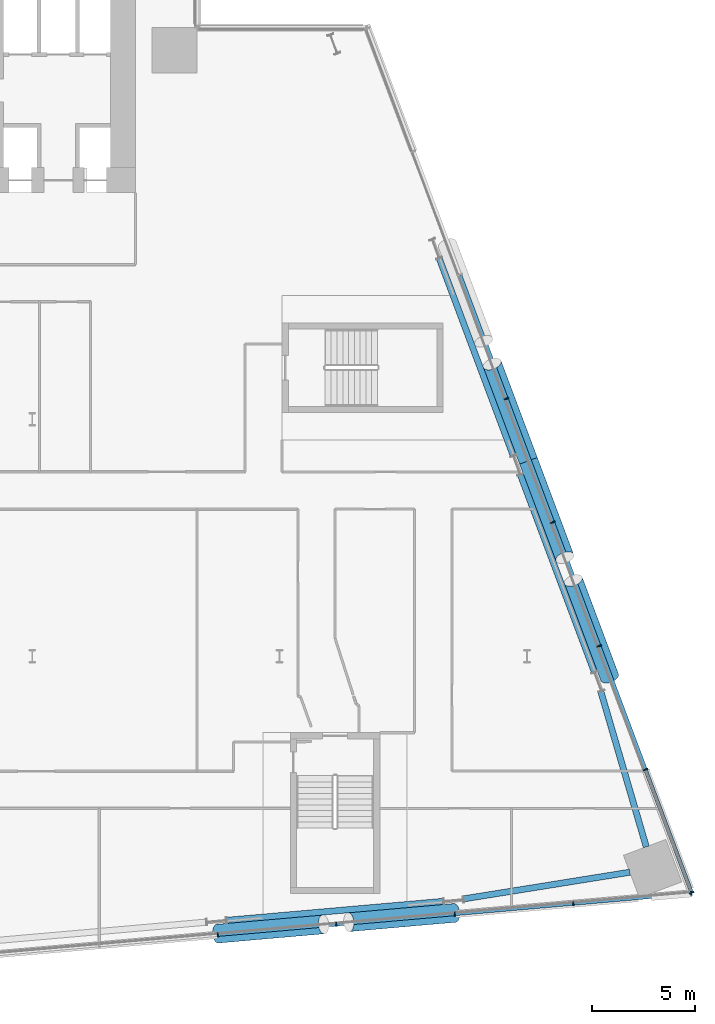
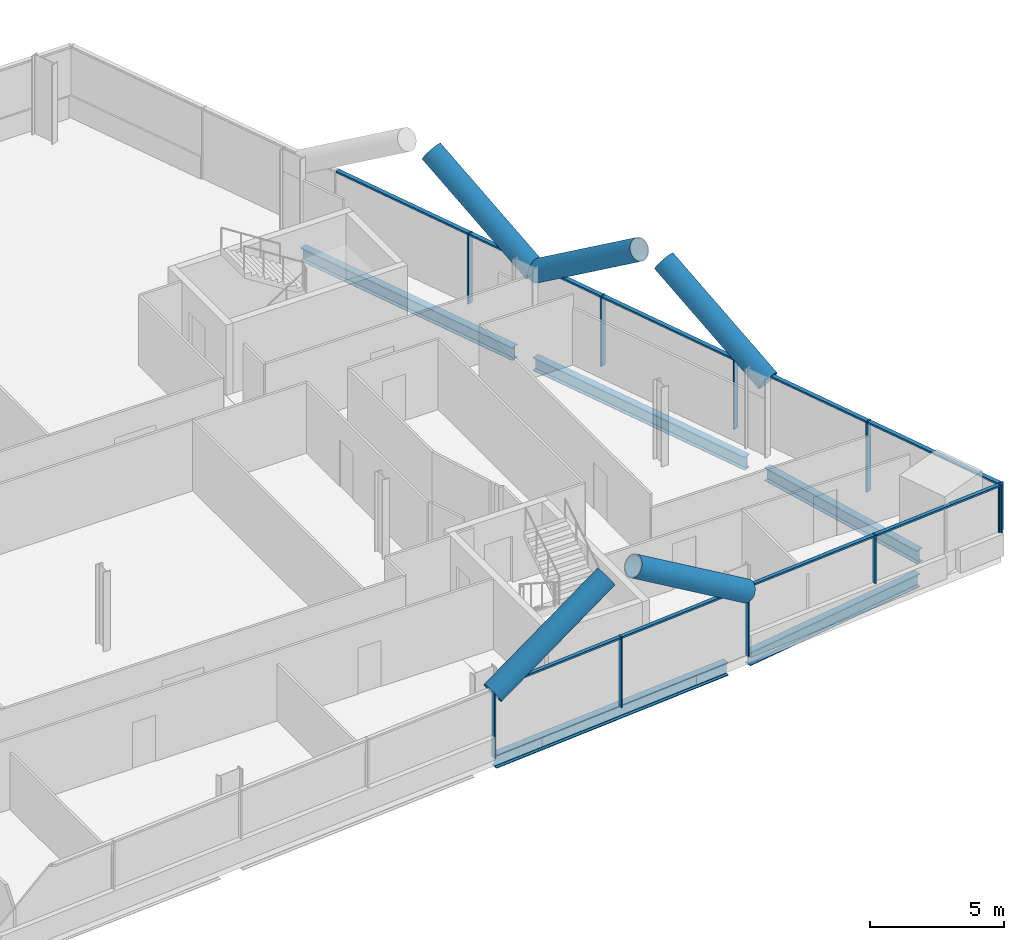
# One storey, part 9 of 28: 24 members, 5 beams, 2 elements without a shape of their own.
"""IFC4 building model written with IfcOpenShell, lengths in metres."""

from ifc_helpers import new_model, si_unit, direction, frame, origin, origin_2d, place, context, subcontext, project, spatial, rectangle, hollow_circle, i_section, extrude, material, material_profile, profile_set, type_object, element, aggregate, save


model = new_model("IFC4")

# Units and contexts
model_context = context("Model", 3, precision=1e-05, world=origin(), true_north=direction((0.0, 1.0)))
body_context = subcontext(model_context, "Body", "Model", "MODEL_VIEW")
ifc_project = project(units=[si_unit("LENGTHUNIT", "METRE"), si_unit("AREAUNIT", "SQUARE_METRE"), si_unit("VOLUMEUNIT", "CUBIC_METRE"), si_unit("PLANEANGLEUNIT", "RADIAN"), si_unit("MASSUNIT", "GRAM", prefix="KILO")], contexts=[model_context])

# Site, building, storey
site_placement = place(None, origin())
site = spatial("IfcSite", under=ifc_project, at=site_placement, CompositionType="ELEMENT")
building_placement = place(site_placement, origin())
building = spatial("IfcBuilding", under=site, at=building_placement, Name="Wharfspan Tower", CompositionType="ELEMENT")
storey_placement = place(building_placement, frame((0.0, 0.0, 59.5)))
storey = spatial("IfcBuildingStorey", under=building, at=storey_placement, Name="L11", CompositionType="ELEMENT", Elevation=59.5)

# Beams
ifc_material_1 = material(Name="Steel S355J2", Category="steel")
ifc_material_profile_1 = material_profile(ifc_material_1, i_section(OverallWidth=0.300049, OverallDepth=0.600098, WebThickness=0.015381, FlangeThickness=0.030029, FilletRadius=0.0271, at=origin_2d()))
ifc_profile_set_1 = profile_set([ifc_material_profile_1], Name="Steel S355J2")
beam_type = type_object("IfcBeamType", Name="Edge beam HEB 600", PredefinedType="SPANDREL", material=ifc_profile_set_1)
beam_1_placement = place(storey_placement, frame((69.440674, -1.311279, -0.699951), z_axis=(0.996193, 0.087178, 0.0), x_axis=(-0.087178, 0.996193, 0.0)))
element("IfcBeam", 1, at=beam_1_placement, inside=storey, type_object=beam_type, Name="Edge beam S2 L11 PS2.2 to PS2.3", PredefinedType="SPANDREL", context=body_context, shape_type="SweptSolid", body=[
    extrude(i_section(OverallWidth=0.300049, OverallDepth=0.600098, WebThickness=0.015381, FlangeThickness=0.030029, FilletRadius=0.0271, at=origin_2d()), origin(), (0.0, 0.0, 1.0), 10.543701),
])
beam_2_placement = place(storey_placement, frame((80.9375, -0.269287, -0.699951), z_axis=(0.987379, 0.158378, 0.0), x_axis=(-0.158378, 0.987379, 0.0)))
element("IfcBeam", 2, at=beam_2_placement, inside=storey, type_object=beam_type, Name="Edge beam S2 L11 PS2.3 to MC4", PredefinedType="SPANDREL", context=body_context, shape_type="SweptSolid", body=[
    extrude(i_section(OverallWidth=0.300049, OverallDepth=0.600098, WebThickness=0.015381, FlangeThickness=0.030029, FilletRadius=0.0271, at=origin_2d()), origin(), (0.0, 0.0, 1.0), 8.157715),
])
beam_3_placement = place(storey_placement, frame((89.788086, 2.254639, -0.699951), z_axis=(-0.280694, 0.959797, 0.0), x_axis=(-0.959797, -0.280694, 0.0)))
element("IfcBeam", 3, at=beam_3_placement, inside=storey, type_object=beam_type, Name="Edge beam E L11 MC4 to PE.1", PredefinedType="SPANDREL", context=body_context, shape_type="SweptSolid", body=[
    extrude(i_section(OverallWidth=0.300049, OverallDepth=0.600098, WebThickness=0.015381, FlangeThickness=0.030029, FilletRadius=0.0271, at=origin_2d()), origin(), (0.0, 0.0, 1.0), 7.8479),
])
for number, where, z_axis, x_axis, name in (
    (4, (87.269043, 10.736328, -0.699951), (-0.351126, 0.936328, 0.0), (-0.936328, -0.351126, 0.0), "Edge beam E L11 PE.1 to PE.2"),
    (5, (83.331543, 21.236328, -0.699951), (-0.351126, 0.936328, 0.0), (-0.936328, -0.351126, 0.0), "Edge beam E L11 PE.2 to PE.3"),
):
    element("IfcBeam", number, at=place(storey_placement, frame(where, z_axis=z_axis, x_axis=x_axis)), inside=storey, type_object=beam_type, Name=name, PredefinedType="SPANDREL", context=body_context, shape_type="SweptSolid", body=[
        extrude(i_section(OverallWidth=0.300049, OverallDepth=0.600098, WebThickness=0.015381, FlangeThickness=0.030029, FilletRadius=0.0271, at=origin_2d()), origin(), (0.0, 0.0, 1.0), 10.214111),
    ])

# Curtain wall, members
ifc_material_2 = material(Name="Aluminium 6063-T6", Category="aluminium")
curtain_wall_type_1 = type_object("IfcCurtainWallType", Name="CURTAIN WALL FACETED FRONT", PredefinedType="NOTDEFINED", material=ifc_material_2)
curtain_wall_1_placement = place(storey_placement, origin())
curtain_wall_1 = element("IfcCurtainWall", 6, at=curtain_wall_1_placement, inside=storey, type_object=curtain_wall_type_1, Name="Curtain wall S2", PredefinedType="NOTDEFINED")
ifc_material_profile_2 = material_profile(ifc_material_2, rectangle(XDim=0.199951, YDim=0.060059, at=origin_2d()))
ifc_profile_set_2 = profile_set([ifc_material_profile_2], Name="Aluminium 6063-T6")
member_type_1 = type_object("IfcMemberType", Name="MULLION FACETED FRONT 60x200", PredefinedType="MULLION", material=ifc_profile_set_2)
member_1_placement = place(storey_placement, frame((69.0, -2.012207, 0.0), z_axis=(0.0, 0.0, 1.0), x_axis=(-0.087156, 0.996197, 0.0)))
member_1 = element("IfcMember", 7, at=member_1_placement, type_object=member_type_1, Name="Curtain wall S2 mullion 5", PredefinedType="MULLION", context=body_context, shape_type="SweptSolid", body=[
    extrude(rectangle(XDim=0.199951, YDim=0.060059, at=origin_2d()), origin(), (0.0, 0.0, 1.0), 3.199951),
])
member_2_placement = place(storey_placement, frame((74.75, -1.509277, 0.0), z_axis=(0.0, 0.0, 1.0), x_axis=(-0.087156, 0.996197, 0.0)))
member_2 = element("IfcMember", 8, at=member_2_placement, type_object=member_type_1, Name="Curtain wall S2 mullion 6", PredefinedType="MULLION", context=body_context, shape_type="SweptSolid", body=[
    extrude(rectangle(XDim=0.199951, YDim=0.060059, at=origin_2d()), origin(), (0.0, 0.0, 1.0), 3.199951),
])
member_3_placement = place(storey_placement, frame((80.5, -1.006104, 0.0), z_axis=(0.0, 0.0, 1.0), x_axis=(-0.087156, 0.996197, 0.0)))
member_3 = element("IfcMember", 9, at=member_3_placement, type_object=member_type_1, Name="Curtain wall S2 mullion 7", PredefinedType="MULLION", context=body_context, shape_type="SweptSolid", body=[
    extrude(rectangle(XDim=0.199951, YDim=0.060059, at=origin_2d()), origin(), (0.0, 0.0, 1.0), 3.199951),
])
member_4_placement = place(storey_placement, frame((86.25, -0.503174, 1.0), z_axis=(0.0, 0.0, 1.0), x_axis=(-0.087156, 0.996197, 0.0)))
member_4 = element("IfcMember", 10, at=member_4_placement, type_object=member_type_1, Name="Curtain wall S2 mullion 8", PredefinedType="MULLION", context=body_context, shape_type="SweptSolid", body=[
    extrude(rectangle(XDim=0.199951, YDim=0.060059, at=origin_2d()), origin(), (0.0, 0.0, 1.0), 2.199951),
])
member_5_placement = place(storey_placement, frame((91.970215, -0.002686, 1.0), z_axis=(0.0, 0.0, 1.0), x_axis=(-0.087156, 0.996197, 0.0)))
member_5 = element("IfcMember", 11, at=member_5_placement, type_object=member_type_1, Name="Curtain wall S2 mullion 9", PredefinedType="MULLION", context=body_context, shape_type="SweptSolid", body=[
    extrude(rectangle(XDim=0.199951, YDim=0.060059, at=origin_2d()), origin(), (0.0, 0.0, 1.0), 2.199951),
])

curtain_wall_type_2 = type_object("IfcCurtainWallType", Name="CURTAIN WALL PROW AND END", PredefinedType="NOTDEFINED", material=ifc_material_2)
curtain_wall_2_placement = place(storey_placement, origin())
curtain_wall_2 = element("IfcCurtainWall", 12, at=curtain_wall_2_placement, inside=storey, type_object=curtain_wall_type_2, Name="Curtain wall E", PredefinedType="NOTDEFINED")
ifc_material_profile_3 = material_profile(ifc_material_2, rectangle(XDim=0.23999, YDim=0.060059, at=origin_2d()))
ifc_profile_set_3 = profile_set([ifc_material_profile_3], Name="Aluminium 6063-T6")
member_type_2 = type_object("IfcMemberType", Name="MULLION PROW AND END 60x240", PredefinedType="MULLION", material=ifc_profile_set_3)
member_6_placement = place(storey_placement, frame((91.989502, 0.028076, 1.0), z_axis=(0.0, 0.0, 1.0), x_axis=(-0.936328, -0.351123, 0.0)))
member_6 = element("IfcMember", 13, at=member_6_placement, type_object=member_type_2, Name="Curtain wall E mullion 1", PredefinedType="MULLION", context=body_context, shape_type="SweptSolid", body=[
    extrude(rectangle(XDim=0.23999, YDim=0.060059, at=origin_2d()), origin(), (0.0, 0.0, 1.0), 2.199951),
])
member_7_placement = place(storey_placement, frame((89.75, 6.0, 0.0), z_axis=(0.0, 0.0, 1.0), x_axis=(-0.936328, -0.351123, 0.0)))
member_7 = element("IfcMember", 14, at=member_7_placement, type_object=member_type_2, Name="Curtain wall E mullion 2", PredefinedType="MULLION", context=body_context, shape_type="SweptSolid", body=[
    extrude(rectangle(XDim=0.23999, YDim=0.060059, at=origin_2d()), origin(), (0.0, 0.0, 1.0), 3.199951),
])
member_8_placement = place(storey_placement, frame((87.5, 12.0, 0.0), z_axis=(0.0, 0.0, 1.0), x_axis=(-0.936328, -0.351123, 0.0)))
member_8 = element("IfcMember", 15, at=member_8_placement, type_object=member_type_2, Name="Curtain wall E mullion 3", PredefinedType="MULLION", context=body_context, shape_type="SweptSolid", body=[
    extrude(rectangle(XDim=0.23999, YDim=0.060059, at=origin_2d()), origin(), (0.0, 0.0, 1.0), 3.199951),
])
member_9_placement = place(storey_placement, frame((85.25, 18.0, 0.0), z_axis=(0.0, 0.0, 1.0), x_axis=(-0.936328, -0.351123, 0.0)))
member_9 = element("IfcMember", 16, at=member_9_placement, type_object=member_type_2, Name="Curtain wall E mullion 4", PredefinedType="MULLION", context=body_context, shape_type="SweptSolid", body=[
    extrude(rectangle(XDim=0.23999, YDim=0.060059, at=origin_2d()), origin(), (0.0, 0.0, 1.0), 3.199951),
])
member_10_placement = place(storey_placement, frame((83.0, 24.0, 0.0), z_axis=(0.0, 0.0, 1.0), x_axis=(-0.936328, -0.351123, 0.0)))
member_10 = element("IfcMember", 17, at=member_10_placement, type_object=member_type_2, Name="Curtain wall E mullion 5", PredefinedType="MULLION", context=body_context, shape_type="SweptSolid", body=[
    extrude(rectangle(XDim=0.23999, YDim=0.060059, at=origin_2d()), origin(), (0.0, 0.0, 1.0), 3.199951),
])

# Members
ifc_material_3 = material(Name="Steel S460NH", Category="steel")
ifc_material_profile_4 = material_profile(ifc_material_3, hollow_circle(Radius=0.457031, WallThickness=0.040039, at=origin_2d()))
ifc_profile_set_4 = profile_set([ifc_material_profile_4], Name="Steel S460NH")
member_type_3 = type_object("IfcMemberType", Name="Mega brace CHS 914x40", PredefinedType="BRACE", material=ifc_profile_set_4)
member_11_placement = place(storey_placement, frame((68.995117, -1.95752, 2.899902), z_axis=(0.845262, 0.073959, 0.529208), x_axis=(-0.087167, 0.996192, 3e-06)))
element("IfcMember", 18, at=member_11_placement, inside=storey, type_object=member_type_3, Name="Mega brace S2 L12 part 1", PredefinedType="BRACE", context=body_context, shape_type="SweptSolid", body=[
    extrude(hollow_circle(Radius=0.457031, WallThickness=0.040039, at=origin_2d()), origin(), (0.0, 0.0, 1.0), 6.073975),
])
member_12_placement = place(storey_placement, frame((80.495117, -0.951416, 2.899902), z_axis=(-0.845253, -0.073921, 0.529228), x_axis=(0.08712, -0.996199, -3e-06)))
element("IfcMember", 19, at=member_12_placement, inside=storey, type_object=member_type_3, Name="Mega brace S2 L12 part 3", PredefinedType="BRACE", context=body_context, shape_type="SweptSolid", body=[
    extrude(hollow_circle(Radius=0.457031, WallThickness=0.040039, at=origin_2d()), origin(), (0.0, 0.0, 1.0), 6.07373),
])
for number, where, z_axis, x_axis, name in (
    (20, (88.010986, 10.480713, 2.899902), (-0.295459, 0.787904, 0.540288), (-0.936328, -0.351115, -3e-06), "Mega brace E5 L12 part 1"),
    (21, (84.073486, 20.980713, 2.899902), (0.295459, -0.787904, 0.540288), (0.936328, 0.351115, -3e-06), "Mega brace E5 L12 part 3"),
    (22, (84.073486, 20.980713, 2.899902), (-0.295459, 0.787904, 0.540288), (-0.936328, -0.351115, -3e-06), "Mega brace E6 L12 part 1"),
):
    element("IfcMember", number, at=place(storey_placement, frame(where, z_axis=z_axis, x_axis=x_axis)), inside=storey, type_object=member_type_3, Name=name, PredefinedType="BRACE", context=body_context, shape_type="SweptSolid", body=[
        extrude(hollow_circle(Radius=0.457031, WallThickness=0.040039, at=origin_2d()), origin(), (0.0, 0.0, 1.0), 5.955322),
    ])

# Member
ifc_material_profile_5 = material_profile(ifc_material_2, rectangle(XDim=0.159912, YDim=0.080078, at=origin_2d()))
ifc_profile_set_5 = profile_set([ifc_material_profile_5], Name="Aluminium 6063-T6")
member_type_4 = type_object("IfcMemberType", Name="TRANSOM FACETED FRONT 80x160", PredefinedType="USERDEFINED", material=ifc_profile_set_5)
member_13_placement = place(storey_placement, frame((69.029785, -2.009521, 3.159912), z_axis=(0.996195, 0.087148, 0.0), x_axis=(-0.087148, 0.996195, 0.0)))
member_13 = element("IfcMember", 23, at=member_13_placement, type_object=member_type_4, Name="Curtain wall S2 transom 5", ObjectType="TRANSOM", PredefinedType="USERDEFINED", context=body_context, shape_type="SweptSolid", body=[
    extrude(rectangle(XDim=0.159912, YDim=0.080078, at=origin_2d()), origin(), (0.0, 0.0, 1.0), 5.712158),
])

member_14_placement = place(storey_placement, frame((74.779785, -1.506592, 3.159912), z_axis=(0.996195, 0.087148, 0.0), x_axis=(-0.087148, 0.996195, 0.0)))
member_14 = element("IfcMember", 24, at=member_14_placement, type_object=member_type_4, Name="Curtain wall S2 transom 6", ObjectType="TRANSOM", PredefinedType="USERDEFINED", context=body_context, shape_type="SweptSolid", body=[
    extrude(rectangle(XDim=0.159912, YDim=0.080078, at=origin_2d()), origin(), (0.0, 0.0, 1.0), 5.712158),
])

member_15_placement = place(storey_placement, frame((80.529785, -1.003418, 3.159912), z_axis=(0.996195, 0.087148, 0.0), x_axis=(-0.087148, 0.996195, 0.0)))
member_15 = element("IfcMember", 25, at=member_15_placement, type_object=member_type_4, Name="Curtain wall S2 transom 7", ObjectType="TRANSOM", PredefinedType="USERDEFINED", context=body_context, shape_type="SweptSolid", body=[
    extrude(rectangle(XDim=0.159912, YDim=0.080078, at=origin_2d()), origin(), (0.0, 0.0, 1.0), 5.712158),
])

member_16_placement = place(storey_placement, frame((86.279785, -0.500488, 3.159912), z_axis=(0.996193, 0.08718, 0.0), x_axis=(-0.08718, 0.996193, 0.0)))
member_16 = element("IfcMember", 26, at=member_16_placement, type_object=member_type_4, Name="Curtain wall S2 transom 8", ObjectType="TRANSOM", PredefinedType="USERDEFINED", context=body_context, shape_type="SweptSolid", body=[
    extrude(rectangle(XDim=0.159912, YDim=0.080078, at=origin_2d()), origin(), (0.0, 0.0, 1.0), 5.682129),
])

aggregate(curtain_wall_1, [member_1, member_2, member_3, member_4, member_5, member_13, member_14, member_15, member_16])

ifc_material_profile_6 = material_profile(ifc_material_2, rectangle(XDim=0.179932, YDim=0.080078, at=origin_2d()))
ifc_profile_set_6 = profile_set([ifc_material_profile_6], Name="Aluminium 6063-T6")
member_type_5 = type_object("IfcMemberType", Name="TRANSOM PROW AND END 80x180", PredefinedType="USERDEFINED", material=ifc_profile_set_6)
member_17_placement = place(storey_placement, frame((91.979004, 0.056152, 3.159912), z_axis=(-0.351136, 0.936324, 0.0), x_axis=(-0.936324, -0.351136, 0.0)))
member_17 = element("IfcMember", 27, at=member_17_placement, type_object=member_type_5, Name="Curtain wall E transom 1", ObjectType="TRANSOM", PredefinedType="USERDEFINED", context=body_context, shape_type="SweptSolid", body=[
    extrude(rectangle(XDim=0.179932, YDim=0.080078, at=origin_2d()), origin(), (0.0, 0.0, 1.0), 6.318115),
])

member_18_placement = place(storey_placement, frame((89.739502, 6.028076, 3.159912), z_axis=(-0.351132, 0.936326, 0.0), x_axis=(-0.936326, -0.351132, 0.0)))
member_18 = element("IfcMember", 28, at=member_18_placement, type_object=member_type_5, Name="Curtain wall E transom 2", ObjectType="TRANSOM", PredefinedType="USERDEFINED", context=body_context, shape_type="SweptSolid", body=[
    extrude(rectangle(XDim=0.179932, YDim=0.080078, at=origin_2d()), origin(), (0.0, 0.0, 1.0), 6.348145),
])

member_19_placement = place(storey_placement, frame((87.489502, 12.028076, 3.159912), z_axis=(-0.351132, 0.936326, 0.0), x_axis=(-0.936326, -0.351132, 0.0)))
member_19 = element("IfcMember", 29, at=member_19_placement, type_object=member_type_5, Name="Curtain wall E transom 3", ObjectType="TRANSOM", PredefinedType="USERDEFINED", context=body_context, shape_type="SweptSolid", body=[
    extrude(rectangle(XDim=0.179932, YDim=0.080078, at=origin_2d()), origin(), (0.0, 0.0, 1.0), 6.348145),
])

member_20_placement = place(storey_placement, frame((85.239502, 18.028076, 3.159912), z_axis=(-0.351132, 0.936326, 0.0), x_axis=(-0.936326, -0.351132, 0.0)))
member_20 = element("IfcMember", 30, at=member_20_placement, type_object=member_type_5, Name="Curtain wall E transom 4", ObjectType="TRANSOM", PredefinedType="USERDEFINED", context=body_context, shape_type="SweptSolid", body=[
    extrude(rectangle(XDim=0.179932, YDim=0.080078, at=origin_2d()), origin(), (0.0, 0.0, 1.0), 6.348145),
])

member_21_placement = place(storey_placement, frame((82.989502, 24.028076, 3.159912), z_axis=(-0.351132, 0.936326, 0.0), x_axis=(-0.936326, -0.351132, 0.0)))
member_21 = element("IfcMember", 31, at=member_21_placement, type_object=member_type_5, Name="Curtain wall E transom 5", ObjectType="TRANSOM", PredefinedType="USERDEFINED", context=body_context, shape_type="SweptSolid", body=[
    extrude(rectangle(XDim=0.179932, YDim=0.080078, at=origin_2d()), origin(), (0.0, 0.0, 1.0), 6.348145),
])

aggregate(curtain_wall_2, [member_6, member_7, member_8, member_9, member_10, member_17, member_18, member_19, member_20, member_21])

save(model, "model.ifc")
